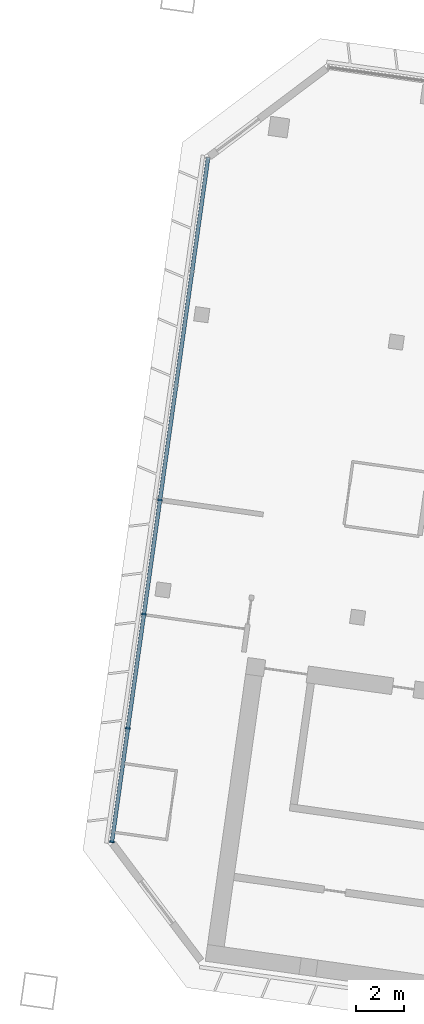
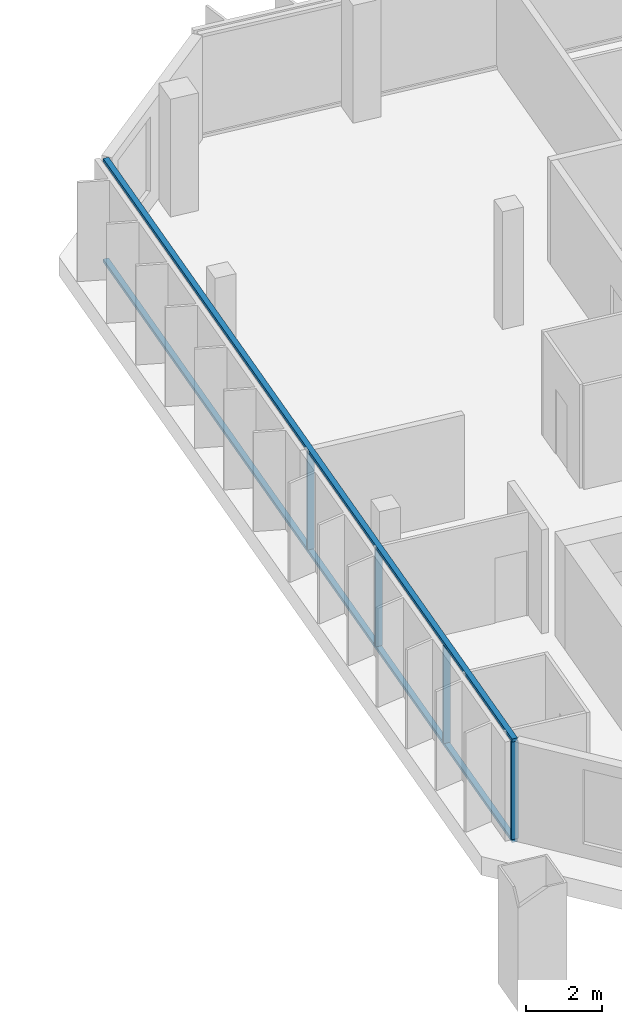
# One storey, part 2 of 23: 6 members, 1 element without a shape of its own.
"""IFC4 building model written with IfcOpenShell, lengths in metres."""

from ifc_helpers import new_model, si_unit, direction, frame, origin, origin_2d, place, context, subcontext, project, spatial, rectangle, extrude, material, material_profile, profile_set, type_object, element, aggregate, save


model = new_model("IFC4")

# Units and contexts
model_context = context("Model", 3, precision=1e-05, world=origin(), true_north=direction((0.0, 1.0)))
body_context = subcontext(model_context, "Body", "Model", "MODEL_VIEW")
ifc_project = project(units=[si_unit("LENGTHUNIT", "METRE"), si_unit("AREAUNIT", "SQUARE_METRE"), si_unit("VOLUMEUNIT", "CUBIC_METRE"), si_unit("PLANEANGLEUNIT", "RADIAN"), si_unit("MASSUNIT", "GRAM", prefix="KILO")], contexts=[model_context])

# Site, building, storey
site_placement = place(None, origin())
site = spatial("IfcSite", under=ifc_project, at=site_placement, CompositionType="ELEMENT")
building_placement = place(site_placement, origin())
building = spatial("IfcBuilding", under=site, at=building_placement, Name="Mirante Cascada Hotel Towers", CompositionType="ELEMENT")
storey_placement = place(building_placement, frame((0.0, 0.0, 199.2)))
storey = spatial("IfcBuildingStorey", under=building, at=storey_placement, Name="L47", CompositionType="ELEMENT", Elevation=199.2)

# Curtain wall, members
ifc_material_1 = material(Name="Aluminium mullion and transom frame with clear laminated glass", Category="aluminium")
curtain_wall_type = type_object("IfcCurtainWallType", Name="End ribbon curtain wall ECW2", PredefinedType="NOTDEFINED", material=ifc_material_1)
curtain_wall_placement = place(storey_placement, origin())
curtain_wall = element("IfcCurtainWall", 1, at=curtain_wall_placement, inside=storey, type_object=curtain_wall_type, Name="Outer end wall T1 L47", PredefinedType="NOTDEFINED")
ifc_material_2 = material(Name="Anodised aluminium extrusion", Category="aluminium")
ifc_material_profile_1 = material_profile(ifc_material_2, rectangle(XDim=0.2, YDim=0.065, at=origin_2d()), Name="ECW2 MULLION 65x200")
ifc_profile_set_1 = profile_set([ifc_material_profile_1], Name="Anodised aluminium extrusion")
member_type_1 = type_object("IfcMemberType", Name="ECW2 mullion 65x200", PredefinedType="MULLION", material=ifc_profile_set_1)
member_1_placement = place(storey_placement, frame((-85.3308, -8.7707, 0.1), z_axis=(0.0, 0.0, 1.0), x_axis=(-0.9902681, 0.1391731, 0.0)))
member_1 = element("IfcMember", 2, at=member_1_placement, type_object=member_type_1, Name="ECW2 mullion 1", PredefinedType="MULLION", context=body_context, shape_type="SweptSolid", body=[
    extrude(rectangle(XDim=0.2, YDim=0.065, at=origin_2d()), origin(), (0.0, 0.0, 1.0), 3.15),
])
member_2_placement = place(storey_placement, frame((-84.6655, -4.0371, 0.1), z_axis=(0.0, 0.0, 1.0), x_axis=(-0.9902681, 0.1391731, 0.0)))
member_2 = element("IfcMember", 3, at=member_2_placement, type_object=member_type_1, Name="ECW2 mullion 2", PredefinedType="MULLION", context=body_context, shape_type="SweptSolid", body=[
    extrude(rectangle(XDim=0.2, YDim=0.065, at=origin_2d()), origin(), (0.0, 0.0, 1.0), 3.15),
])
member_3_placement = place(storey_placement, frame((-83.9957, 0.7287, 0.1), z_axis=(0.0, 0.0, 1.0), x_axis=(-0.9902681, 0.1391731, 0.0)))
member_3 = element("IfcMember", 4, at=member_3_placement, type_object=member_type_1, Name="ECW2 mullion 3", PredefinedType="MULLION", context=body_context, shape_type="SweptSolid", body=[
    extrude(rectangle(XDim=0.2, YDim=0.065, at=origin_2d()), origin(), (0.0, 0.0, 1.0), 3.15),
])
member_4_placement = place(storey_placement, frame((-83.3259, 5.4945, 0.1), z_axis=(0.0, 0.0, 1.0), x_axis=(-0.9902681, 0.1391731, 0.0)))
member_4 = element("IfcMember", 5, at=member_4_placement, type_object=member_type_1, Name="ECW2 mullion 4", PredefinedType="MULLION", context=body_context, shape_type="SweptSolid", body=[
    extrude(rectangle(XDim=0.2, YDim=0.065, at=origin_2d()), origin(), (0.0, 0.0, 1.0), 3.15),
])
ifc_material_3 = material(Name="Anodised aluminium extrusion", Category="aluminium")
ifc_material_profile_2 = material_profile(ifc_material_3, rectangle(XDim=0.16, YDim=0.1, at=origin_2d()), Name="ECW2 TRANSOM 100x160")
ifc_profile_set_2 = profile_set([ifc_material_profile_2], Name="Anodised aluminium extrusion")
member_type_2 = type_object("IfcMemberType", Name="ECW2 transom 100x160", PredefinedType="USERDEFINED", material=ifc_profile_set_2)
member_5_placement = place(storey_placement, frame((-85.3353, -8.8029, 0.05), z_axis=(0.1391723, 0.9902682, 0.0), x_axis=(-0.9902682, 0.1391723, 0.0)))
member_5 = element("IfcMember", 6, at=member_5_placement, type_object=member_type_2, Name="ECW2 sill transom", ObjectType="TRANSOM", PredefinedType="USERDEFINED", context=body_context, shape_type="SweptSolid", body=[
    extrude(rectangle(XDim=0.16, YDim=0.1, at=origin_2d()), origin(), (0.0, 0.0, 1.0), 28.8757),
])
member_6_placement = place(storey_placement, frame((-85.3353, -8.8029, 3.3), z_axis=(0.1391723, 0.9902682, 0.0), x_axis=(-0.9902682, 0.1391723, 0.0)))
member_6 = element("IfcMember", 7, at=member_6_placement, type_object=member_type_2, Name="ECW2 head transom", ObjectType="TRANSOM", PredefinedType="USERDEFINED", context=body_context, shape_type="SweptSolid", body=[
    extrude(rectangle(XDim=0.16, YDim=0.1, at=origin_2d()), origin(), (0.0, 0.0, 1.0), 28.8757),
])
aggregate(curtain_wall, [member_5, member_6, member_1, member_2, member_3, member_4])

save(model, "model.ifc")
